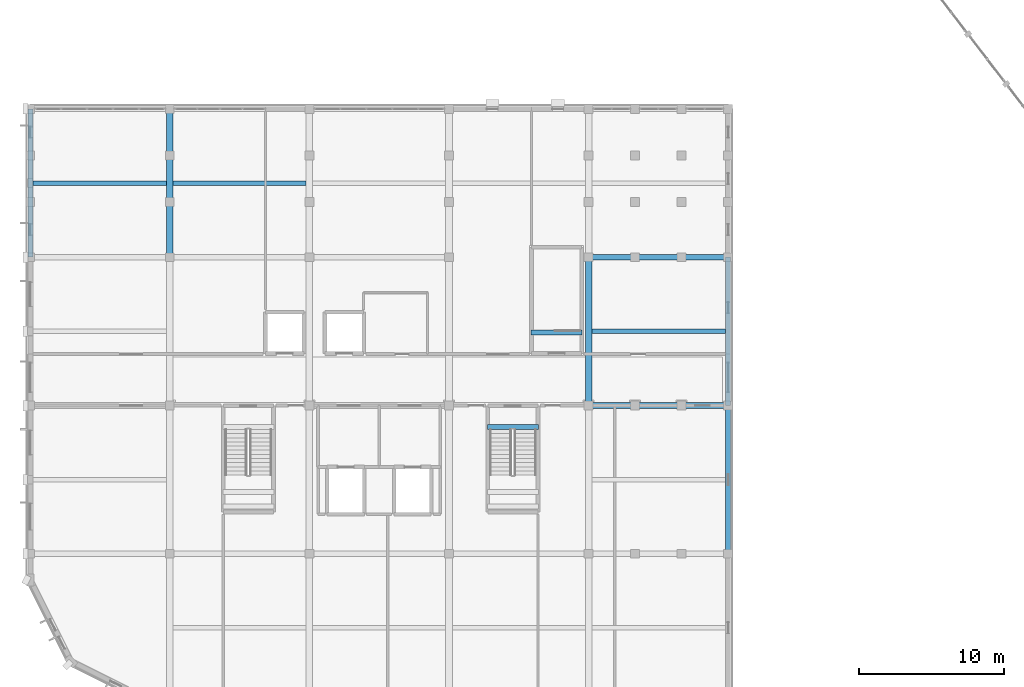
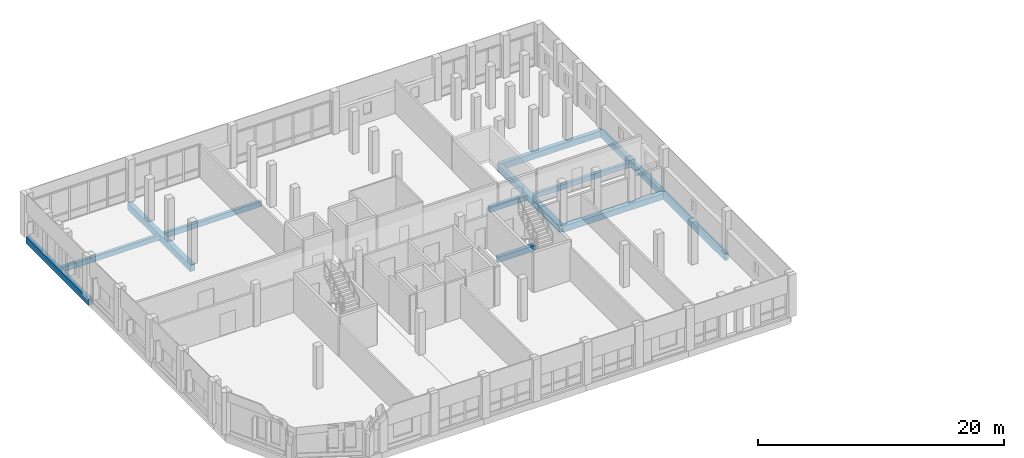
# One storey, part 18 of 93: 12 beams.
"""IFC4 building model written with IfcOpenShell, lengths in metres."""

from ifc_helpers import new_model, si_unit, direction, frame, origin, origin_2d, place, context, subcontext, project, spatial, rectangle, extrude, material, material_profile, profile_set, type_object, element, save


model = new_model("IFC4")

# Units and contexts
model_context = context("Model", 3, precision=1e-05, world=origin(), true_north=direction((0.0, 1.0)))
body_context = subcontext(model_context, "Body", "Model", "MODEL_VIEW")
ifc_project = project(units=[si_unit("LENGTHUNIT", "METRE"), si_unit("AREAUNIT", "SQUARE_METRE"), si_unit("VOLUMEUNIT", "CUBIC_METRE"), si_unit("PLANEANGLEUNIT", "RADIAN"), si_unit("MASSUNIT", "GRAM", prefix="KILO")], contexts=[model_context])

# Site, building, storey
site_placement = place(None, origin())
site = spatial("IfcSite", under=ifc_project, at=site_placement, CompositionType="ELEMENT")
building_placement = place(site_placement, origin())
building = spatial("IfcBuilding", under=site, at=building_placement, Name="Vondelvale Polytechnic", CompositionType="ELEMENT")
storey_placement = place(building_placement, frame((0.0, 0.0, 18.0)))
storey = spatial("IfcBuildingStorey", under=building, at=storey_placement, Name="L04", CompositionType="ELEMENT", Elevation=18.0)

# Beams
ifc_material_1 = material(Name="Concrete N40 (f'c = 40 MPa)", Category="concrete")
ifc_material_profile_1 = material_profile(ifc_material_1, rectangle(XDim=0.35009765625, YDim=0.550048828125, at=origin_2d()), Name="RC-BM-350x550")
ifc_profile_set_1 = profile_set([ifc_material_profile_1], Name="Concrete N40 (f'c = 40 MPa)")
beam_type_1 = type_object("IfcBeamType", Name="BM-RC350x550", PredefinedType="BEAM", material=ifc_profile_set_1)
for number, where, z_axis, x_axis, name in (
    (1, (31.449951171875, 18.925048828125, -0.27490234375), (1.0, 0.0, 0.0), (0.0, 1.0, 0.0), "L04 STHD B-06"),
    (2, (37.949951171875, 25.425048828125, -0.27490234375), (-1.0, 0.0, 0.0), (0.0, -1.0, 0.0), "L04 STHD B-06"),
):
    element("IfcBeam", number, at=place(storey_placement, frame(where, z_axis=z_axis, x_axis=x_axis)), inside=storey, type_object=beam_type_1, Name=name, PredefinedType="BEAM", context=body_context, shape_type="SweptSolid", body=[
        extrude(rectangle(XDim=0.35009765625, YDim=0.550048828125, at=origin_2d()), origin(), (0.0, 0.0, 1.0), 3.5),
    ])
ifc_material_profile_2 = material_profile(ifc_material_1, rectangle(XDim=0.39990234375, YDim=0.60009765625, at=origin_2d()), Name="RC-BM-400x600")
ifc_profile_set_2 = profile_set([ifc_material_profile_2], Name="Concrete N40 (f'c = 40 MPa)")
beam_type_2 = type_object("IfcBeamType", Name="BM-RC400x600", PredefinedType="BEAM", material=ifc_profile_set_2)
for number, where, z_axis, x_axis, name in (
    (3, (38.39990234375, 20.39990234375, -0.550048828125), (1.0, 0.0, 0.0), (0.0, 1.0, 0.0), "L04 B B-05"),
    (4, (38.39990234375, 30.60009765625, -0.550048828125), (1.0, 0.0, 0.0), (0.0, 1.0, 0.0), "L04 B B-05"),
):
    element("IfcBeam", number, at=place(storey_placement, frame(where, z_axis=z_axis, x_axis=x_axis)), inside=storey, type_object=beam_type_2, Name=name, PredefinedType="BEAM", context=body_context, shape_type="SweptSolid", body=[
        extrude(rectangle(XDim=0.39990234375, YDim=0.60009765625, at=origin_2d()), origin(), (0.0, 0.0, 1.0), 9.60009765625),
    ])
ifc_material_profile_3 = material_profile(ifc_material_1, rectangle(XDim=0.449951171875, YDim=0.64990234375, at=origin_2d()), Name="RC-BM-450x650")
ifc_profile_set_3 = profile_set([ifc_material_profile_3], Name="Concrete N40 (f'c = 40 MPa)")
beam_type_3 = type_object("IfcBeamType", Name="BM-RC450x650", PredefinedType="BEAM", material=ifc_profile_set_3)
beam_1_placement = place(storey_placement, frame((9.60009765625, 30.60009765625, -0.574951171875), z_axis=(0.0, 1.0, 0.0), x_axis=(-1.0, 0.0, 0.0)))
element("IfcBeam", 5, at=beam_1_placement, inside=storey, type_object=beam_type_3, Name="L04 B B-04", PredefinedType="BEAM", context=body_context, shape_type="SweptSolid", body=[
    extrude(rectangle(XDim=0.449951171875, YDim=0.64990234375, at=origin_2d()), origin(), (0.0, 0.0, 1.0), 10.199951171875),
])
beam_2_placement = place(storey_placement, frame((38.39990234375, 20.39990234375, -0.574951171875), z_axis=(0.0, 1.0, 0.0), x_axis=(-1.0, 0.0, 0.0)))
element("IfcBeam", 6, at=beam_2_placement, inside=storey, type_object=beam_type_3, Name="L04 B B-04", PredefinedType="BEAM", context=body_context, shape_type="SweptSolid", body=[
    extrude(rectangle(XDim=0.449951171875, YDim=0.64990234375, at=origin_2d()), origin(), (0.0, 0.0, 1.0), 10.2001953125),
])
ifc_material_profile_4 = material_profile(ifc_material_1, rectangle(XDim=0.300048828125, YDim=0.5, at=origin_2d()), Name="RC-JST-300x500")
ifc_profile_set_4 = profile_set([ifc_material_profile_4], Name="Concrete N40 (f'c = 40 MPa)")
beam_type_4 = type_object("IfcBeamType", Name="JST-RC300x500", PredefinedType="JOIST", material=ifc_profile_set_4)
for number, where, z_axis, x_axis, name in (
    (7, (38.625, 25.5, -0.5), (1.0, 0.0, 0.0), (0.0, 1.0, 0.0), "L04 J J-02"),
    (8, (0.175048828125, 35.699951171875, -0.5), (1.0, 0.0, 0.0), (0.0, 1.0, 0.0), "L04 J J-02"),
):
    element("IfcBeam", number, at=place(storey_placement, frame(where, z_axis=z_axis, x_axis=x_axis)), inside=storey, type_object=beam_type_4, Name=name, PredefinedType="JOIST", context=body_context, shape_type="SweptSolid", body=[
        extrude(rectangle(XDim=0.300048828125, YDim=0.5, at=origin_2d()), origin(), (0.0, 0.0, 1.0), 9.199951171875),
    ])
beam_3_placement = place(storey_placement, frame((9.824951171875, 35.699951171875, -0.5), z_axis=(1.0, 0.0, 0.0), x_axis=(0.0, 1.0, 0.0)))
element("IfcBeam", 9, at=beam_3_placement, inside=storey, type_object=beam_type_4, Name="L04 J J-02", PredefinedType="JOIST", context=body_context, shape_type="SweptSolid", body=[
    extrude(rectangle(XDim=0.300048828125, YDim=0.5, at=origin_2d()), origin(), (0.0, 0.0, 1.0), 9.150146484375),
])
ifc_material_2 = material(Name="Precast concrete N40 (f'c = 40 MPa)", Category="concrete")
ifc_material_profile_5 = material_profile(ifc_material_2, rectangle(XDim=0.35009765625, YDim=0.64990234375, at=origin_2d()), Name="RC-SPN-350x650")
ifc_profile_set_5 = profile_set([ifc_material_profile_5], Name="Precast concrete N40 (f'c = 40 MPa)")
beam_type_5 = type_object("IfcBeamType", Name="SPN-PRE350x650", PredefinedType="SPANDREL", material=ifc_profile_set_5)
for number, where, z_axis, x_axis, name in (
    (10, (0.0, 30.60009765625, -0.574951171875), (0.0, 1.0, 0.0), (-1.0, 0.0, 0.0), "L04 B SP-02"),
    (11, (48.0, 10.199951171875, -0.574951171875), (0.0, 1.0, 0.0), (-1.0, 0.0, 0.0), "L04 B SP-02"),
):
    element("IfcBeam", number, at=place(storey_placement, frame(where, z_axis=z_axis, x_axis=x_axis)), inside=storey, type_object=beam_type_5, Name=name, PredefinedType="SPANDREL", context=body_context, shape_type="SweptSolid", body=[
        extrude(rectangle(XDim=0.35009765625, YDim=0.64990234375, at=origin_2d()), origin(), (0.0, 0.0, 1.0), 10.199951171875),
    ])
beam_4_placement = place(storey_placement, frame((48.0, 20.39990234375, -0.574951171875), z_axis=(0.0, 1.0, 0.0), x_axis=(-1.0, 0.0, 0.0)))
element("IfcBeam", 12, at=beam_4_placement, inside=storey, type_object=beam_type_5, Name="L04 B SP-02", PredefinedType="SPANDREL", context=body_context, shape_type="SweptSolid", body=[
    extrude(rectangle(XDim=0.35009765625, YDim=0.64990234375, at=origin_2d()), origin(), (0.0, 0.0, 1.0), 10.2001953125),
])

save(model, "model.ifc")
